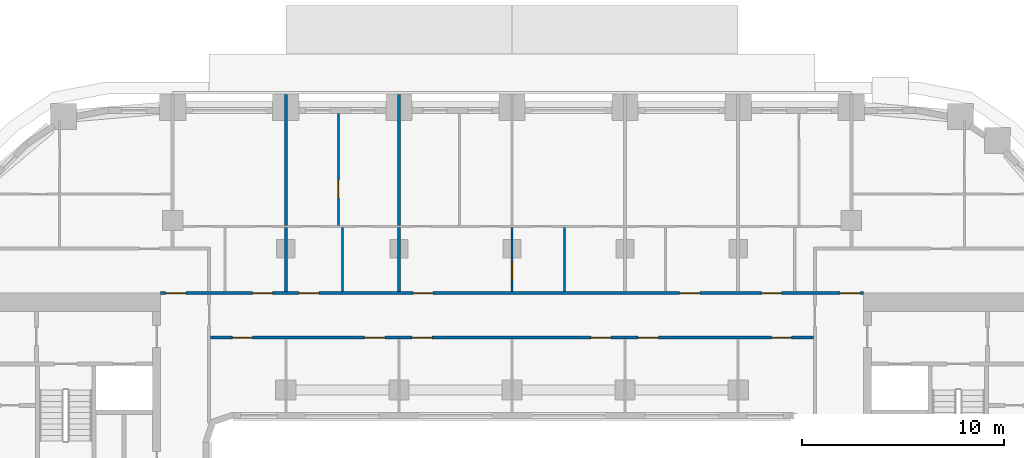
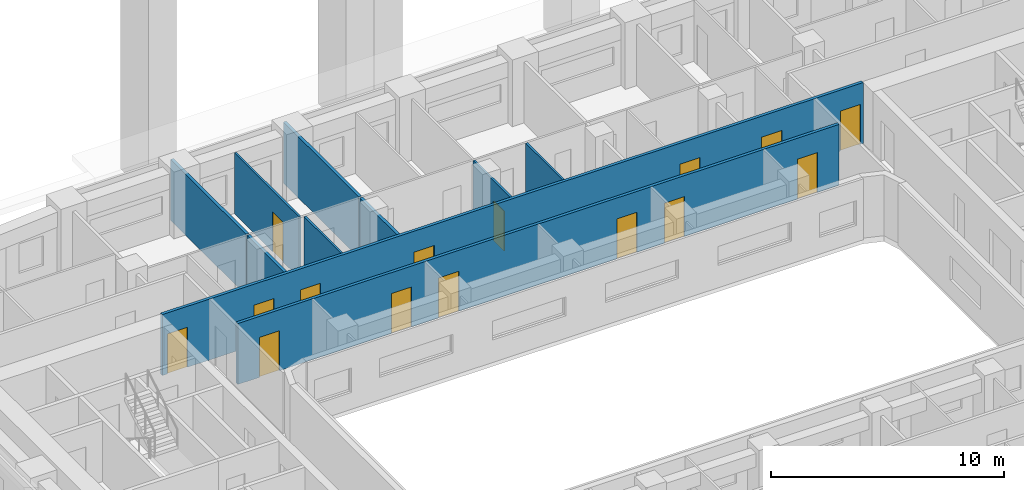
# One storey, part 8 of 19: 15 doors, 10 walls, 15 openings.
"""IFC4 building model written with IfcOpenShell, lengths in metres."""

from ifc_helpers import new_model, si_unit, direction, frame, frame_2d, origin, place, context, subcontext, project, spatial, rectangle, extrude, material, layer, layer_set, type_object, element, fill, save


model = new_model("IFC4")

# Units and contexts
model_context = context("Model", 3, precision=1e-05, world=origin(), true_north=direction((0.0, 1.0)))
body_context = subcontext(model_context, "Body", "Model", "MODEL_VIEW")
ifc_project = project(units=[si_unit("LENGTHUNIT", "METRE"), si_unit("AREAUNIT", "SQUARE_METRE"), si_unit("VOLUMEUNIT", "CUBIC_METRE"), si_unit("PLANEANGLEUNIT", "RADIAN"), si_unit("MASSUNIT", "GRAM", prefix="KILO")], contexts=[model_context])

# Site, building, storey
site_placement = place(None, origin())
site = spatial("IfcSite", under=ifc_project, at=site_placement, CompositionType="ELEMENT")
building_placement = place(site_placement, origin())
building = spatial("IfcBuilding", under=site, at=building_placement, Name="Kiln Ring Residences", CompositionType="ELEMENT")
storey_placement = place(building_placement, frame((0.0, 0.0, 104.300048828125)))
storey = spatial("IfcBuildingStorey", under=building, at=storey_placement, Name="L26", CompositionType="ELEMENT", Elevation=104.300048828125)

# Wall, opening, door
ifc_material_1 = material(Name="Gypsum board on steel studs", Category="steel")
ifc_layer_1 = layer(ifc_material_1, 0.10009765625)
ifc_layer_set_1 = layer_set([ifc_layer_1], Name="PARTITION-100")
wall_type_1 = type_object("IfcWallType", Name="PARTITION-100", PredefinedType="PARTITIONING", material=ifc_layer_set_1)
wall_1_placement = place(storey_placement, frame((-8.60009765625, 16.550048828125, 0.0), z_axis=(0.0, 0.0, 1.0), x_axis=(0.0, 1.0, 0.0)))
wall_1 = element("IfcWall", 1, at=wall_1_placement, inside=storey, type_object=wall_type_1, Name="Partition 033", PredefinedType="PARTITIONING", context=body_context, shape_type="SweptSolid", body=[
    extrude(rectangle(XDim=5.530029296875, YDim=0.10009765625, at=frame_2d((2.76513671875, 0.0))), origin(), (0.0, 0.0, 1.0), 3.199951171875),
])
opening_1_placement = place(wall_1_placement, frame((1.35009765625, 0.0, 0.0)))
opening_1 = element("IfcOpeningElement", 2, at=opening_1_placement, cuts=wall_1, Name="Opening L26-D021", PredefinedType="OPENING", context=body_context, shape_type="SweptSolid", body=[
    extrude(rectangle(XDim=0.89990234375, YDim=2.10009765625, at=frame_2d((0.449951171875, 1.050048828125))), frame((0.0, 0.06005859375, 0.0), z_axis=(0.0, -1.0, 0.0), x_axis=(1.0, 0.0, 0.0)), (0.0, 0.0, 1.0), 0.1201171875),
])
ifc_material_2 = material(Name="Timber door leaf", Category="wood")
door_type_1 = type_object("IfcDoorType", Name="FLAT-DOOR-900-PL", OperationType="SINGLE_SWING_LEFT", PredefinedType="DOOR", material=ifc_material_2)
door_1_placement = place(opening_1_placement, origin())
door_1 = element("IfcDoor", 3, at=door_1_placement, inside=storey, type_object=door_type_1, Name="Door L26-D021", OperationType="SINGLE_SWING_LEFT", OverallHeight=2.10009765625, OverallWidth=0.89990234375, PredefinedType="DOOR", context=body_context, shape_type="SweptSolid", body=[
    extrude(rectangle(XDim=0.89990234375, YDim=2.10009765625, at=frame_2d((0.449951171875, 1.050048828125))), frame((0.0, 0.02490234375, 0.0), z_axis=(0.0, -1.0, 0.0), x_axis=(1.0, 0.0, 0.0)), (0.0, 0.0, 1.0), 0.050048828125),
])
fill(opening_1, door_1)

# Wall
wall_2_placement = place(storey_placement, frame((-8.39990234375, 13.27490234375, 0.0), z_axis=(0.0, 0.0, 1.0), x_axis=(0.0, 1.0, 0.0)))
element("IfcWall", 4, at=wall_2_placement, inside=storey, type_object=wall_type_1, Name="Partition 034", PredefinedType="PARTITIONING", context=body_context, shape_type="SweptSolid", body=[
    extrude(rectangle(XDim=3.175048828125, YDim=0.10009765625, at=frame_2d((1.58740234375, 0.0))), origin(), (0.0, 0.0, 1.0), 3.199951171875),
])

# Wall, opening, door
wall_3_placement = place(storey_placement, frame((0.0, 13.27490234375, 0.0), z_axis=(0.0, 0.0, 1.0), x_axis=(0.0, 1.0, 0.0)))
wall_3 = element("IfcWall", 5, at=wall_3_placement, inside=storey, type_object=wall_type_1, Name="Partition 048", PredefinedType="PARTITIONING", context=body_context, shape_type="SweptSolid", body=[
    extrude(rectangle(XDim=3.175048828125, YDim=0.10009765625, at=frame_2d((1.58740234375, 0.0))), origin(), (0.0, 0.0, 1.0), 3.199951171875),
])
opening_2_placement = place(wall_3_placement, frame((0.575927734375, 0.0, 0.0)))
opening_2 = element("IfcOpeningElement", 6, at=opening_2_placement, cuts=wall_3, Name="Opening L26-D023", PredefinedType="OPENING", context=body_context, shape_type="SweptSolid", body=[
    extrude(rectangle(XDim=0.89990234375, YDim=2.10009765625, at=frame_2d((0.449951171875, 1.050048828125))), frame((0.0, 0.06005859375, 0.0), z_axis=(0.0, -1.0, 0.0), x_axis=(1.0, 0.0, 0.0)), (0.0, 0.0, 1.0), 0.1201171875),
])
door_2_placement = place(opening_2_placement, origin())
door_2 = element("IfcDoor", 7, at=door_2_placement, inside=storey, type_object=door_type_1, Name="Door L26-D023", OperationType="SINGLE_SWING_LEFT", OverallHeight=2.10009765625, OverallWidth=0.89990234375, PredefinedType="DOOR", context=body_context, shape_type="SweptSolid", body=[
    extrude(rectangle(XDim=0.89990234375, YDim=2.10009765625, at=frame_2d((0.449951171875, 1.050048828125))), frame((0.0, 0.02490234375, 0.0), z_axis=(0.0, -1.0, 0.0), x_axis=(1.0, 0.0, 0.0)), (0.0, 0.0, 1.0), 0.050048828125),
])
fill(opening_2, door_2)

# Wall
wall_4_placement = place(storey_placement, frame((2.60009765625, 13.27490234375, 0.0), z_axis=(0.0, 0.0, 1.0), x_axis=(0.0, 1.0, 0.0)))
element("IfcWall", 8, at=wall_4_placement, inside=storey, type_object=wall_type_1, Name="Partition 052", PredefinedType="PARTITIONING", context=body_context, shape_type="SweptSolid", body=[
    extrude(rectangle(XDim=3.175048828125, YDim=0.10009765625, at=frame_2d((1.58740234375, 0.0))), origin(), (0.0, 0.0, 1.0), 3.199951171875),
])

# Wall, openings, doors
ifc_material_3 = material(Name="Brick masonry partition", Category="masonry")
ifc_layer_2 = layer(ifc_material_3, 0.14990234375)
ifc_layer_set_2 = layer_set([ifc_layer_2], Name="PARTITION-150-ei60")
wall_type_2 = type_object("IfcWallType", Name="PARTITION-150-ei60", PredefinedType="PARTITIONING", material=ifc_layer_set_2)
wall_5_placement = place(storey_placement, frame((-14.925048828125, 11.0, 0.0), z_axis=(0.0, 0.0, 1.0), x_axis=(1.0, 0.0, 0.0)))
wall_5 = element("IfcWall", 9, at=wall_5_placement, inside=storey, type_object=wall_type_2, Name="Partition 007", PredefinedType="PARTITIONING", context=body_context, shape_type="SweptSolid", body=[
    extrude(rectangle(XDim=29.85009765625, YDim=0.14990234375, at=frame_2d((14.925048828125, 0.0))), origin(), (0.0, 0.0, 1.0), 3.199951171875),
])
opening_3_placement = place(wall_5_placement, frame((1.075927734375, 0.0, 0.0)))
opening_3 = element("IfcOpeningElement", 10, at=opening_3_placement, cuts=wall_5, Name="Opening L26-D009", PredefinedType="OPENING", context=body_context, shape_type="SweptSolid", body=[
    extrude(rectangle(XDim=1.0, YDim=2.10009765625, at=frame_2d((0.5, 1.050048828125))), frame((0.0, 0.0849609375, 0.0), z_axis=(0.0, -1.0, 0.0), x_axis=(1.0, 0.0, 0.0)), (0.0, 0.0, 1.0), 0.169921875),
])
opening_4_placement = place(wall_5_placement, frame((7.625, 0.0, 0.0)))
opening_4 = element("IfcOpeningElement", 11, at=opening_4_placement, cuts=wall_5, Name="Opening L26-D010", PredefinedType="OPENING", context=body_context, shape_type="SweptSolid", body=[
    extrude(rectangle(XDim=1.0, YDim=2.10009765625, at=frame_2d((0.5, 1.050048828125))), frame((0.0, 0.0849609375, 0.0), z_axis=(0.0, -1.0, 0.0), x_axis=(1.0, 0.0, 0.0)), (0.0, 0.0, 1.0), 0.169921875),
])
opening_5_placement = place(wall_5_placement, frame((9.97509765625, 0.0, 0.0)))
opening_5 = element("IfcOpeningElement", 12, at=opening_5_placement, cuts=wall_5, Name="Opening L26-D011", PredefinedType="OPENING", context=body_context, shape_type="SweptSolid", body=[
    extrude(rectangle(XDim=1.0, YDim=2.10009765625, at=frame_2d((0.5, 1.050048828125))), frame((0.0, 0.0849609375, 0.0), z_axis=(0.0, -1.0, 0.0), x_axis=(1.0, 0.0, 0.0)), (0.0, 0.0, 1.0), 0.169921875),
])
opening_6_placement = place(wall_5_placement, frame((18.824951171875, 0.0, 0.0)))
opening_6 = element("IfcOpeningElement", 13, at=opening_6_placement, cuts=wall_5, Name="Opening L26-D012", PredefinedType="OPENING", context=body_context, shape_type="SweptSolid", body=[
    extrude(rectangle(XDim=1.0, YDim=2.10009765625, at=frame_2d((0.5, 1.050048828125))), frame((0.0, 0.0849609375, 0.0), z_axis=(0.0, -1.0, 0.0), x_axis=(1.0, 0.0, 0.0)), (0.0, 0.0, 1.0), 0.169921875),
])
opening_7_placement = place(wall_5_placement, frame((21.175048828125, 0.0, 0.0)))
opening_7 = element("IfcOpeningElement", 14, at=opening_7_placement, cuts=wall_5, Name="Opening L26-D013", PredefinedType="OPENING", context=body_context, shape_type="SweptSolid", body=[
    extrude(rectangle(XDim=1.0, YDim=2.10009765625, at=frame_2d((0.5, 1.050048828125))), frame((0.0, 0.0849609375, 0.0), z_axis=(0.0, -1.0, 0.0), x_axis=(1.0, 0.0, 0.0)), (0.0, 0.0, 1.0), 0.169921875),
])
opening_8_placement = place(wall_5_placement, frame((27.77490234375, 0.0, 0.0)))
opening_8 = element("IfcOpeningElement", 15, at=opening_8_placement, cuts=wall_5, Name="Opening L26-D014", PredefinedType="OPENING", context=body_context, shape_type="SweptSolid", body=[
    extrude(rectangle(XDim=1.0, YDim=2.10009765625, at=frame_2d((0.5, 1.050048828125))), frame((0.0, 0.0849609375, 0.0), z_axis=(0.0, -1.0, 0.0), x_axis=(1.0, 0.0, 0.0)), (0.0, 0.0, 1.0), 0.169921875),
])
ifc_material_4 = material(Name="Steel faced fire door leaf", Category="steel")
door_type_2 = type_object("IfcDoorType", Name="FLAT-DOOR-1000-FR", OperationType="SINGLE_SWING_LEFT", PredefinedType="DOOR", material=ifc_material_4)
door_3_placement = place(opening_3_placement, origin())
door_3 = element("IfcDoor", 16, at=door_3_placement, inside=storey, type_object=door_type_2, Name="Door L26-D009", OperationType="SINGLE_SWING_LEFT", OverallHeight=2.10009765625, OverallWidth=1.0, PredefinedType="DOOR", context=body_context, shape_type="SweptSolid", body=[
    extrude(rectangle(XDim=1.0, YDim=2.10009765625, at=frame_2d((0.5, 1.050048828125))), frame((0.0, 0.02490234375, 0.0), z_axis=(0.0, -1.0, 0.0), x_axis=(1.0, 0.0, 0.0)), (0.0, 0.0, 1.0), 0.050048828125),
])
fill(opening_3, door_3)
door_4_placement = place(opening_4_placement, origin())
door_4 = element("IfcDoor", 17, at=door_4_placement, inside=storey, type_object=door_type_2, Name="Door L26-D010", OperationType="SINGLE_SWING_RIGHT", OverallHeight=2.10009765625, OverallWidth=1.0, PredefinedType="DOOR", context=body_context, shape_type="SweptSolid", body=[
    extrude(rectangle(XDim=1.0, YDim=2.10009765625, at=frame_2d((0.5, 1.050048828125))), frame((0.0, 0.02490234375, 0.0), z_axis=(0.0, -1.0, 0.0), x_axis=(1.0, 0.0, 0.0)), (0.0, 0.0, 1.0), 0.050048828125),
])
fill(opening_4, door_4)
door_5_placement = place(opening_5_placement, origin())
door_5 = element("IfcDoor", 18, at=door_5_placement, inside=storey, type_object=door_type_2, Name="Door L26-D011", OperationType="SINGLE_SWING_LEFT", OverallHeight=2.10009765625, OverallWidth=1.0, PredefinedType="DOOR", context=body_context, shape_type="SweptSolid", body=[
    extrude(rectangle(XDim=1.0, YDim=2.10009765625, at=frame_2d((0.5, 1.050048828125))), frame((0.0, 0.02490234375, 0.0), z_axis=(0.0, -1.0, 0.0), x_axis=(1.0, 0.0, 0.0)), (0.0, 0.0, 1.0), 0.050048828125),
])
fill(opening_5, door_5)
door_6_placement = place(opening_6_placement, origin())
door_6 = element("IfcDoor", 19, at=door_6_placement, inside=storey, type_object=door_type_2, Name="Door L26-D012", OperationType="SINGLE_SWING_RIGHT", OverallHeight=2.10009765625, OverallWidth=1.0, PredefinedType="DOOR", context=body_context, shape_type="SweptSolid", body=[
    extrude(rectangle(XDim=1.0, YDim=2.10009765625, at=frame_2d((0.5, 1.050048828125))), frame((0.0, 0.02490234375, 0.0), z_axis=(0.0, -1.0, 0.0), x_axis=(1.0, 0.0, 0.0)), (0.0, 0.0, 1.0), 0.050048828125),
])
fill(opening_6, door_6)
door_7_placement = place(opening_7_placement, origin())
door_7 = element("IfcDoor", 20, at=door_7_placement, inside=storey, type_object=door_type_2, Name="Door L26-D013", OperationType="SINGLE_SWING_LEFT", OverallHeight=2.10009765625, OverallWidth=1.0, PredefinedType="DOOR", context=body_context, shape_type="SweptSolid", body=[
    extrude(rectangle(XDim=1.0, YDim=2.10009765625, at=frame_2d((0.5, 1.050048828125))), frame((0.0, 0.02490234375, 0.0), z_axis=(0.0, -1.0, 0.0), x_axis=(1.0, 0.0, 0.0)), (0.0, 0.0, 1.0), 0.050048828125),
])
fill(opening_7, door_7)
door_8_placement = place(opening_8_placement, origin())
door_8 = element("IfcDoor", 21, at=door_8_placement, inside=storey, type_object=door_type_2, Name="Door L26-D014", OperationType="SINGLE_SWING_RIGHT", OverallHeight=2.10009765625, OverallWidth=1.0, PredefinedType="DOOR", context=body_context, shape_type="SweptSolid", body=[
    extrude(rectangle(XDim=1.0, YDim=2.10009765625, at=frame_2d((0.5, 1.050048828125))), frame((0.0, 0.02490234375, 0.0), z_axis=(0.0, -1.0, 0.0), x_axis=(1.0, 0.0, 0.0)), (0.0, 0.0, 1.0), 0.050048828125),
])
fill(opening_8, door_8)

wall_6_placement = place(storey_placement, frame((-17.39990234375, 13.199951171875, 0.0), z_axis=(0.0, 0.0, 1.0), x_axis=(1.0, 0.0, 0.0)))
wall_6 = element("IfcWall", 22, at=wall_6_placement, inside=storey, type_object=wall_type_2, Name="Partition 008", PredefinedType="PARTITIONING", context=body_context, shape_type="SweptSolid", body=[
    extrude(rectangle(XDim=34.7998046875, YDim=0.14990234375, at=frame_2d((17.39990234375, 0.0))), origin(), (0.0, 0.0, 1.0), 3.199951171875),
])
opening_9_placement = place(wall_6_placement, frame((0.25, 0.0, 0.0)))
opening_9 = element("IfcOpeningElement", 23, at=opening_9_placement, cuts=wall_6, Name="Opening L26-D003", PredefinedType="OPENING", context=body_context, shape_type="SweptSolid", body=[
    extrude(rectangle(XDim=1.0, YDim=2.10009765625, at=frame_2d((0.5, 1.050048828125))), frame((0.0, 0.0849609375, 0.0), z_axis=(0.0, -1.0, 0.0), x_axis=(1.0, 0.0, 0.0)), (0.0, 0.0, 1.0), 0.169921875),
])
opening_10_placement = place(wall_6_placement, frame((33.64990234375, 0.0, 0.0)))
opening_10 = element("IfcOpeningElement", 24, at=opening_10_placement, cuts=wall_6, Name="Opening L26-D004", PredefinedType="OPENING", context=body_context, shape_type="SweptSolid", body=[
    extrude(rectangle(XDim=1.0, YDim=2.10009765625, at=frame_2d((0.5, 1.050048828125))), frame((0.0, 0.0849609375, 0.0), z_axis=(0.0, -1.0, 0.0), x_axis=(1.0, 0.0, 0.0)), (0.0, 0.0, 1.0), 0.169921875),
])
opening_11_placement = place(wall_6_placement, frame((4.550048828125, 0.0, 0.0)))
opening_11 = element("IfcOpeningElement", 25, at=opening_11_placement, cuts=wall_6, Name="Opening L26-D015", PredefinedType="OPENING", context=body_context, shape_type="SweptSolid", body=[
    extrude(rectangle(XDim=1.0, YDim=2.10009765625, at=frame_2d((0.5, 1.050048828125))), frame((0.0, 0.0849609375, 0.0), z_axis=(0.0, -1.0, 0.0), x_axis=(1.0, 0.0, 0.0)), (0.0, 0.0, 1.0), 0.169921875),
])
opening_12_placement = place(wall_6_placement, frame((6.85009765625, 0.0, 0.0)))
opening_12 = element("IfcOpeningElement", 26, at=opening_12_placement, cuts=wall_6, Name="Opening L26-D018", PredefinedType="OPENING", context=body_context, shape_type="SweptSolid", body=[
    extrude(rectangle(XDim=1.0, YDim=2.10009765625, at=frame_2d((0.5, 1.050048828125))), frame((0.0, 0.0849609375, 0.0), z_axis=(0.0, -1.0, 0.0), x_axis=(1.0, 0.0, 0.0)), (0.0, 0.0, 1.0), 0.169921875),
])
opening_13_placement = place(wall_6_placement, frame((12.5, 0.0, 0.0)))
opening_13 = element("IfcOpeningElement", 27, at=opening_13_placement, cuts=wall_6, Name="Opening L26-D022", PredefinedType="OPENING", context=body_context, shape_type="SweptSolid", body=[
    extrude(rectangle(XDim=1.0, YDim=2.10009765625, at=frame_2d((0.5, 1.050048828125))), frame((0.0, 0.0849609375, 0.0), z_axis=(0.0, -1.0, 0.0), x_axis=(1.0, 0.0, 0.0)), (0.0, 0.0, 1.0), 0.169921875),
])
opening_14_placement = place(wall_6_placement, frame((25.699951171875, 0.0, 0.0)))
opening_14 = element("IfcOpeningElement", 28, at=opening_14_placement, cuts=wall_6, Name="Opening L26-D028", PredefinedType="OPENING", context=body_context, shape_type="SweptSolid", body=[
    extrude(rectangle(XDim=1.0, YDim=2.10009765625, at=frame_2d((0.5, 1.050048828125))), frame((0.0, 0.0849609375, 0.0), z_axis=(0.0, -1.0, 0.0), x_axis=(1.0, 0.0, 0.0)), (0.0, 0.0, 1.0), 0.169921875),
])
opening_15_placement = place(wall_6_placement, frame((29.75, 0.0, 0.0)))
opening_15 = element("IfcOpeningElement", 29, at=opening_15_placement, cuts=wall_6, Name="Opening L26-D031", PredefinedType="OPENING", context=body_context, shape_type="SweptSolid", body=[
    extrude(rectangle(XDim=1.0, YDim=2.10009765625, at=frame_2d((0.5, 1.050048828125))), frame((0.0, 0.0849609375, 0.0), z_axis=(0.0, -1.0, 0.0), x_axis=(1.0, 0.0, 0.0)), (0.0, 0.0, 1.0), 0.169921875),
])
door_9_placement = place(opening_9_placement, origin())
door_9 = element("IfcDoor", 30, at=door_9_placement, inside=storey, type_object=door_type_2, Name="Door L26-D003", OperationType="SINGLE_SWING_LEFT", OverallHeight=2.10009765625, OverallWidth=1.0, PredefinedType="DOOR", context=body_context, shape_type="SweptSolid", body=[
    extrude(rectangle(XDim=1.0, YDim=2.10009765625, at=frame_2d((0.5, 1.050048828125))), frame((0.0, 0.02490234375, 0.0), z_axis=(0.0, -1.0, 0.0), x_axis=(1.0, 0.0, 0.0)), (0.0, 0.0, 1.0), 0.050048828125),
])
fill(opening_9, door_9)
door_10_placement = place(opening_10_placement, origin())
door_10 = element("IfcDoor", 31, at=door_10_placement, inside=storey, type_object=door_type_2, Name="Door L26-D004", OperationType="SINGLE_SWING_RIGHT", OverallHeight=2.10009765625, OverallWidth=1.0, PredefinedType="DOOR", context=body_context, shape_type="SweptSolid", body=[
    extrude(rectangle(XDim=1.0, YDim=2.10009765625, at=frame_2d((0.5, 1.050048828125))), frame((0.0, 0.02490234375, 0.0), z_axis=(0.0, -1.0, 0.0), x_axis=(1.0, 0.0, 0.0)), (0.0, 0.0, 1.0), 0.050048828125),
])
fill(opening_10, door_10)
door_11_placement = place(opening_11_placement, origin())
door_11 = element("IfcDoor", 32, at=door_11_placement, inside=storey, type_object=door_type_2, Name="Door L26-D015", OperationType="SINGLE_SWING_LEFT", OverallHeight=2.10009765625, OverallWidth=1.0, PredefinedType="DOOR", context=body_context, shape_type="SweptSolid", body=[
    extrude(rectangle(XDim=1.0, YDim=2.10009765625, at=frame_2d((0.5, 1.050048828125))), frame((0.0, 0.02490234375, 0.0), z_axis=(0.0, -1.0, 0.0), x_axis=(1.0, 0.0, 0.0)), (0.0, 0.0, 1.0), 0.050048828125),
])
fill(opening_11, door_11)
door_12_placement = place(opening_12_placement, origin())
door_12 = element("IfcDoor", 33, at=door_12_placement, inside=storey, type_object=door_type_2, Name="Door L26-D018", OperationType="SINGLE_SWING_RIGHT", OverallHeight=2.10009765625, OverallWidth=1.0, PredefinedType="DOOR", context=body_context, shape_type="SweptSolid", body=[
    extrude(rectangle(XDim=1.0, YDim=2.10009765625, at=frame_2d((0.5, 1.050048828125))), frame((0.0, 0.02490234375, 0.0), z_axis=(0.0, -1.0, 0.0), x_axis=(1.0, 0.0, 0.0)), (0.0, 0.0, 1.0), 0.050048828125),
])
fill(opening_12, door_12)
door_13_placement = place(opening_13_placement, origin())
door_13 = element("IfcDoor", 34, at=door_13_placement, inside=storey, type_object=door_type_2, Name="Door L26-D022", OperationType="SINGLE_SWING_RIGHT", OverallHeight=2.10009765625, OverallWidth=1.0, PredefinedType="DOOR", context=body_context, shape_type="SweptSolid", body=[
    extrude(rectangle(XDim=1.0, YDim=2.10009765625, at=frame_2d((0.5, 1.050048828125))), frame((0.0, 0.02490234375, 0.0), z_axis=(0.0, -1.0, 0.0), x_axis=(1.0, 0.0, 0.0)), (0.0, 0.0, 1.0), 0.050048828125),
])
fill(opening_13, door_13)
door_14_placement = place(opening_14_placement, origin())
door_14 = element("IfcDoor", 35, at=door_14_placement, inside=storey, type_object=door_type_2, Name="Door L26-D028", OperationType="SINGLE_SWING_RIGHT", OverallHeight=2.10009765625, OverallWidth=1.0, PredefinedType="DOOR", context=body_context, shape_type="SweptSolid", body=[
    extrude(rectangle(XDim=1.0, YDim=2.10009765625, at=frame_2d((0.5, 1.050048828125))), frame((0.0, 0.02490234375, 0.0), z_axis=(0.0, -1.0, 0.0), x_axis=(1.0, 0.0, 0.0)), (0.0, 0.0, 1.0), 0.050048828125),
])
fill(opening_14, door_14)
door_15_placement = place(opening_15_placement, origin())
door_15 = element("IfcDoor", 36, at=door_15_placement, inside=storey, type_object=door_type_2, Name="Door L26-D031", OperationType="SINGLE_SWING_LEFT", OverallHeight=2.10009765625, OverallWidth=1.0, PredefinedType="DOOR", context=body_context, shape_type="SweptSolid", body=[
    extrude(rectangle(XDim=1.0, YDim=2.10009765625, at=frame_2d((0.5, 1.050048828125))), frame((0.0, 0.02490234375, 0.0), z_axis=(0.0, -1.0, 0.0), x_axis=(1.0, 0.0, 0.0)), (0.0, 0.0, 1.0), 0.050048828125),
])
fill(opening_15, door_15)

# Walls
wall_7_placement = place(storey_placement, frame((-11.199951171875, 13.27490234375, 0.0), z_axis=(0.0, 0.0, 1.0), x_axis=(0.0, 1.0, 0.0)))
element("IfcWall", 37, at=wall_7_placement, inside=storey, type_object=wall_type_2, Name="Partition 031", PredefinedType="PARTITIONING", context=body_context, shape_type="SweptSolid", body=[
    extrude(rectangle(XDim=3.175048828125, YDim=0.14990234375, at=frame_2d((1.58740234375, 0.0))), origin(), (0.0, 0.0, 1.0), 3.199951171875),
])
wall_8_placement = place(storey_placement, frame((-11.199951171875, 16.550048828125, 0.0), z_axis=(0.0, 0.0, 1.0), x_axis=(0.0, 1.0, 0.0)))
element("IfcWall", 38, at=wall_8_placement, inside=storey, type_object=wall_type_2, Name="Partition 032", PredefinedType="PARTITIONING", context=body_context, shape_type="SweptSolid", body=[
    extrude(rectangle(XDim=6.47998046875, YDim=0.14990234375, at=frame_2d((3.239990234375, 0.0))), origin(), (0.0, 0.0, 1.0), 3.199951171875),
])
wall_9_placement = place(storey_placement, frame((-5.60009765625, 13.27490234375, 0.0), z_axis=(0.0, 0.0, 1.0), x_axis=(0.0, 1.0, 0.0)))
element("IfcWall", 39, at=wall_9_placement, inside=storey, type_object=wall_type_2, Name="Partition 041", PredefinedType="PARTITIONING", context=body_context, shape_type="SweptSolid", body=[
    extrude(rectangle(XDim=3.175048828125, YDim=0.14990234375, at=frame_2d((1.58740234375, 0.0))), origin(), (0.0, 0.0, 1.0), 3.199951171875),
])
wall_10_placement = place(storey_placement, frame((-5.60009765625, 16.550048828125, 0.0), z_axis=(0.0, 0.0, 1.0), x_axis=(0.0, 1.0, 0.0)))
element("IfcWall", 40, at=wall_10_placement, inside=storey, type_object=wall_type_2, Name="Partition 042", PredefinedType="PARTITIONING", context=body_context, shape_type="SweptSolid", body=[
    extrude(rectangle(XDim=6.47998046875, YDim=0.14990234375, at=frame_2d((3.239990234375, 0.0))), origin(), (0.0, 0.0, 1.0), 3.199951171875),
])

save(model, "model.ifc")
